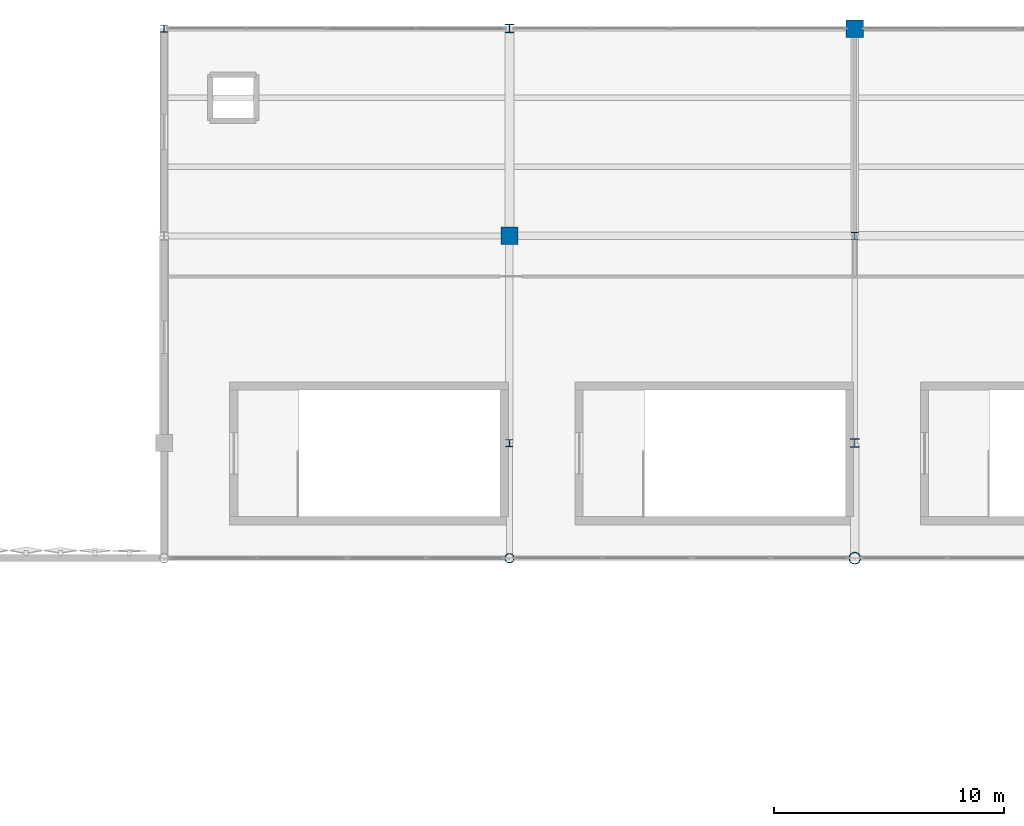
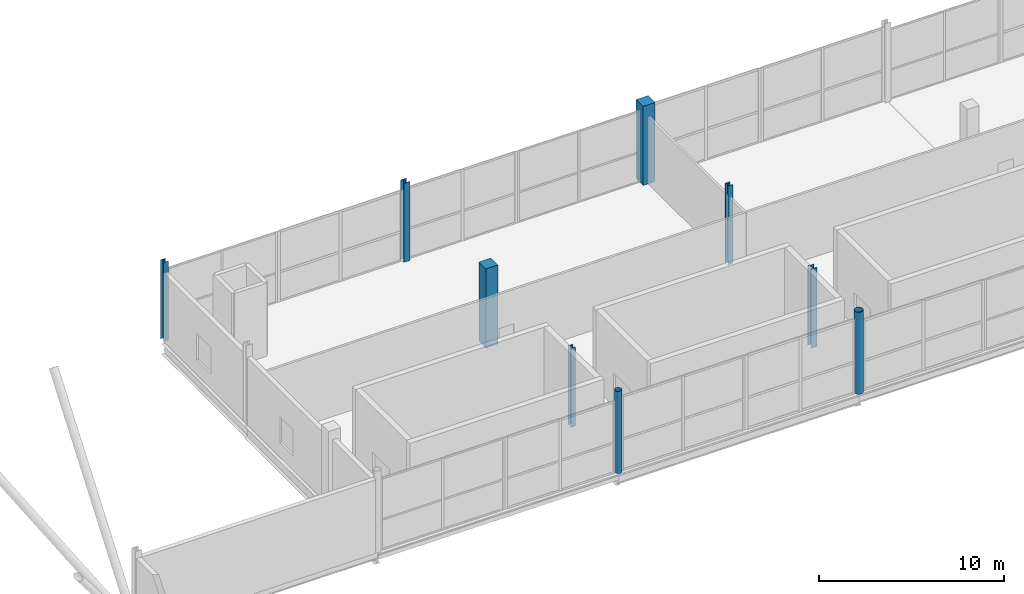
# One storey, part 7 of 119: 9 columns.
"""IFC4 building model written with IfcOpenShell, lengths in metres."""

from ifc_helpers import new_model, si_unit, direction, frame, origin, origin_2d, place, context, subcontext, project, spatial, rectangle, hollow_circle, i_section, extrude, material, material_profile, profile_set, type_object, element, save


model = new_model("IFC4")

# Units and contexts
model_context = context("Model", 3, precision=1e-05, world=origin(), true_north=direction((0.0, 1.0)))
body_context = subcontext(model_context, "Body", "Model", "MODEL_VIEW")
ifc_project = project(units=[si_unit("LENGTHUNIT", "METRE"), si_unit("AREAUNIT", "SQUARE_METRE"), si_unit("VOLUMEUNIT", "CUBIC_METRE"), si_unit("PLANEANGLEUNIT", "RADIAN"), si_unit("MASSUNIT", "GRAM", prefix="KILO")], contexts=[model_context])

# Site, building, storey
site_placement = place(None, origin())
site = spatial("IfcSite", under=ifc_project, at=site_placement, CompositionType="ELEMENT")
building_placement = place(site_placement, origin())
building = spatial("IfcBuilding", under=site, at=building_placement, Name="Qamarlyn Nura Convention Centre", CompositionType="ELEMENT")
storey_placement = place(building_placement, frame((0.0, 0.0, 5.39990234375)))
storey = spatial("IfcBuildingStorey", under=building, at=storey_placement, Name="L01", CompositionType="ELEMENT", Elevation=5.39990234375)

# Columns
ifc_material_1 = material(Name="Pearl-white PVDF steel ASTM A500 Grade C", Category="steel")
ifc_material_profile_1 = material_profile(ifc_material_1, hollow_circle(Radius=0.25390625, WallThickness=0.02001953125, at=origin_2d()), Name="CHS508X20")
ifc_profile_set_1 = profile_set([ifc_material_profile_1], Name="Pearl-white PVDF steel ASTM A500 Grade C")
column_type_1 = type_object("IfcColumnType", Name="COL-HALL-1", PredefinedType="COLUMN", material=ifc_profile_set_1)
column_1_placement = place(storey_placement, frame((45.0, 103.0, 0.0), z_axis=(0.0, 0.0, 1.0), x_axis=(1.0, 0.0, 0.0)))
element("IfcColumn", 1, at=column_1_placement, inside=storey, type_object=column_type_1, Name="L01 column 4/M", PredefinedType="COLUMN", context=body_context, shape_type="SweptSolid", body=[
    extrude(hollow_circle(Radius=0.25390625, WallThickness=0.02001953125, at=origin_2d()), origin(), (0.0, 0.0, 1.0), 5.400146484375),
])
ifc_material_2 = material(Name="Concrete C50/60", Category="concrete")
ifc_material_profile_2 = material_profile(ifc_material_2, rectangle(XDim=0.75, YDim=0.75, at=origin_2d()), Name="RC 750x750")
ifc_profile_set_2 = profile_set([ifc_material_profile_2], Name="Concrete C50/60")
column_type_2 = type_object("IfcColumnType", Name="COL-SUB-2", PredefinedType="COLUMN", material=ifc_profile_set_2)
for number, where, z_axis, x_axis, name in (
    (2, (30.0, 117.0, 0.0), (0.0, 0.0, 1.0), (1.0, 0.0, 0.0), "L01 column 3/P"),
    (3, (45.0, 126.0, 0.0), (0.0, 0.0, 1.0), (1.0, 0.0, 0.0), "L01 column 4/Q"),
):
    element("IfcColumn", number, at=place(storey_placement, frame(where, z_axis=z_axis, x_axis=x_axis)), inside=storey, type_object=column_type_2, Name=name, PredefinedType="COLUMN", context=body_context, shape_type="SweptSolid", body=[
        extrude(rectangle(XDim=0.75, YDim=0.75, at=origin_2d()), origin(), (0.0, 0.0, 1.0), 5.205078125),
    ])
ifc_material_profile_3 = material_profile(ifc_material_1, hollow_circle(Radius=0.203125, WallThickness=0.01611328125, at=origin_2d()), Name="CHS406.4X16")
ifc_profile_set_3 = profile_set([ifc_material_profile_3], Name="Pearl-white PVDF steel ASTM A500 Grade C")
column_type_3 = type_object("IfcColumnType", Name="COL-TUBE-1", PredefinedType="COLUMN", material=ifc_profile_set_3)
column_2_placement = place(storey_placement, frame((30.0, 103.0, 0.0), z_axis=(0.0, 0.0, 1.0), x_axis=(1.0, 0.0, 0.0)))
element("IfcColumn", 4, at=column_2_placement, inside=storey, type_object=column_type_3, Name="L01 column 3/M", PredefinedType="COLUMN", context=body_context, shape_type="SweptSolid", body=[
    extrude(hollow_circle(Radius=0.203125, WallThickness=0.01611328125, at=origin_2d()), origin(), (0.0, 0.0, 1.0), 5.400146484375),
])
ifc_material_3 = material(Name="Steel ASTM A992", Category="steel")
ifc_material_profile_4 = material_profile(ifc_material_3, i_section(OverallWidth=0.3740234375, OverallDepth=0.3720703125, WebThickness=0.016357421875, FlangeThickness=0.026123046875, FilletRadius=0.01611328125, at=origin_2d()), Name="W360X196")
ifc_profile_set_4 = profile_set([ifc_material_profile_4], Name="Steel ASTM A992")
column_type_4 = type_object("IfcColumnType", Name="COL-WING-2", PredefinedType="COLUMN", material=ifc_profile_set_4)
for number, where, z_axis, x_axis, name in (
    (5, (30.0, 126.0, 0.0), (0.0, 0.0, 1.0), (1.0, 0.0, 0.0), "L01 column 3/Q"),
    (6, (45.0, 108.0, 0.0), (0.0, 0.0, 1.0), (1.0, 0.0, 0.0), "L01 column 4/N"),
):
    element("IfcColumn", number, at=place(storey_placement, frame(where, z_axis=z_axis, x_axis=x_axis)), inside=storey, type_object=column_type_4, Name=name, PredefinedType="COLUMN", context=body_context, shape_type="SweptSolid", body=[
        extrude(i_section(OverallWidth=0.3740234375, OverallDepth=0.3720703125, WebThickness=0.016357421875, FlangeThickness=0.026123046875, FilletRadius=0.01611328125, at=origin_2d()), origin(), (0.0, 0.0, 1.0), 5.205078125),
    ])
ifc_material_profile_5 = material_profile(ifc_material_3, i_section(OverallWidth=0.304931640625, OverallDepth=0.30810546875, WebThickness=0.010009765625, FlangeThickness=0.015380859375, FilletRadius=0.014892578125, at=origin_2d()), Name="W310X97")
ifc_profile_set_5 = profile_set([ifc_material_profile_5], Name="Steel ASTM A992")
column_type_5 = type_object("IfcColumnType", Name="COL-WING-4", PredefinedType="COLUMN", material=ifc_profile_set_5)
for number, where, z_axis, x_axis, name in (
    (7, (15.0, 126.0, 0.0), (0.0, 0.0, 1.0), (1.0, 0.0, 0.0), "L01 column 2/Q"),
    (8, (30.0, 108.0, 0.0), (0.0, 0.0, 1.0), (1.0, 0.0, 0.0), "L01 column 3/N"),
    (9, (45.0, 117.0, 0.0), (0.0, 0.0, 1.0), (1.0, 0.0, 0.0), "L01 column 4/P"),
):
    element("IfcColumn", number, at=place(storey_placement, frame(where, z_axis=z_axis, x_axis=x_axis)), inside=storey, type_object=column_type_5, Name=name, PredefinedType="COLUMN", context=body_context, shape_type="SweptSolid", body=[
        extrude(i_section(OverallWidth=0.304931640625, OverallDepth=0.30810546875, WebThickness=0.010009765625, FlangeThickness=0.015380859375, FilletRadius=0.014892578125, at=origin_2d()), origin(), (0.0, 0.0, 1.0), 5.205078125),
    ])

save(model, "model.ifc")
